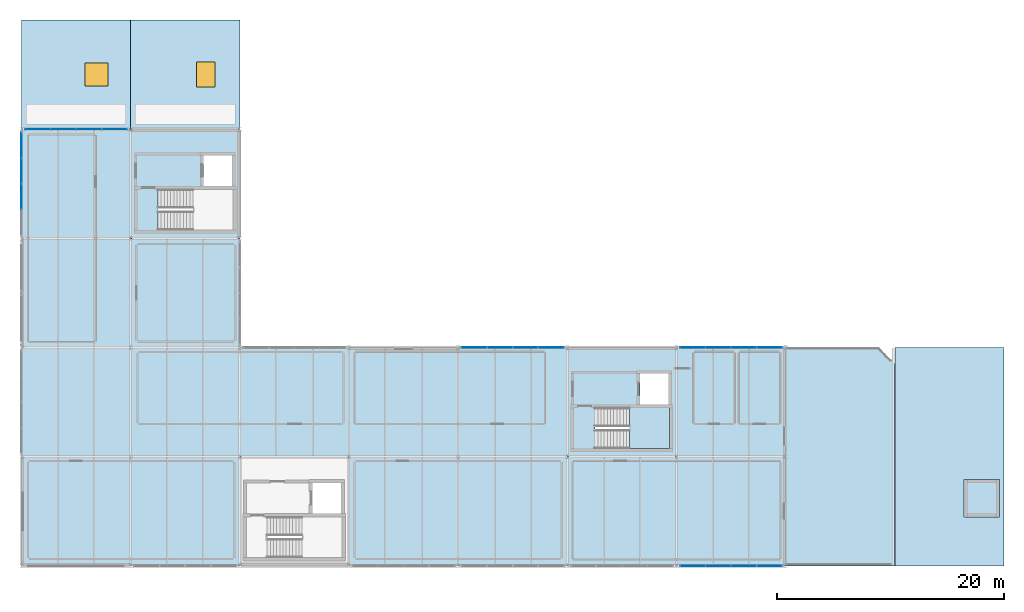
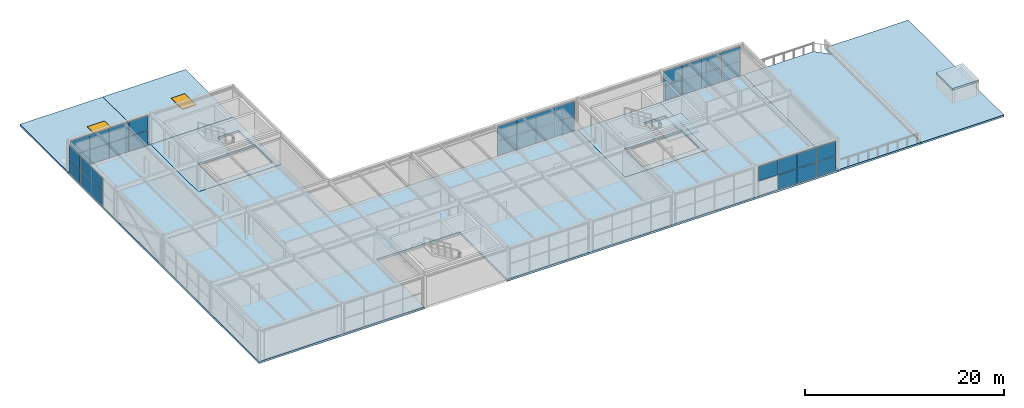
# One storey, part 33 of 39: 37 plates, 9 slabs, 2 windows, 2 openings, 6 elements without a shape of their own.
"""IFC4 building model written with IfcOpenShell, lengths in metres."""

from ifc_helpers import new_model, si_unit, direction, frame, origin, origin_2d, place, context, subcontext, project, spatial, polyline, rectangle, outline, extrude, material, layer, layer_set, type_object, element, fill, aggregate, save


model = new_model("IFC4")

# Units and contexts
model_context = context("Model", 3, precision=1e-05, world=origin(), true_north=direction((0.0, 1.0)))
body_context = subcontext(model_context, "Body", "Model", "MODEL_VIEW")
ifc_project = project(units=[si_unit("LENGTHUNIT", "METRE"), si_unit("AREAUNIT", "SQUARE_METRE"), si_unit("VOLUMEUNIT", "CUBIC_METRE"), si_unit("PLANEANGLEUNIT", "RADIAN"), si_unit("MASSUNIT", "GRAM", prefix="KILO")], contexts=[model_context])

# Site, building, storey
site_placement = place(None, origin())
site = spatial("IfcSite", under=ifc_project, at=site_placement, CompositionType="ELEMENT")
building_placement = place(site_placement, origin())
building = spatial("IfcBuilding", under=site, at=building_placement, Name="Coralgate Yard Interchange", CompositionType="ELEMENT")
storey_placement = place(building_placement, frame((0.0, 0.0, 18.89990234375)))
storey = spatial("IfcBuildingStorey", under=building, at=storey_placement, Name="L04", CompositionType="ELEMENT", Elevation=18.89990234375)

# Curtain wall, plates
ifc_material_1 = material(Name="Anodised coastal aluminium and solar-control low-E glass", Category="aluminium")
curtain_wall_type = type_object("IfcCurtainWallType", Name="CW-CW-L04-A", PredefinedType="NOTDEFINED", material=ifc_material_1)
curtain_wall_1_placement = place(storey_placement, origin())
curtain_wall_1 = element("IfcCurtainWall", 1, at=curtain_wall_1_placement, inside=storey, type_object=curtain_wall_type, Name="L04 unitised curtain wall CW-L04-W-00-03", PredefinedType="NOTDEFINED")
ifc_material_2 = material(Name="Solar-control double-glazed low-E glass unit", Category="glass")
ifc_layer_1 = layer(ifc_material_2, 0.028076171875)
ifc_layer_set_1 = layer_set([ifc_layer_1], Name="Solar-control double-glazed low-E glass unit")
plate_type = type_object("IfcPlateType", Name="PLT-CP-28", PredefinedType="CURTAIN_PANEL", material=ifc_layer_set_1)
plate_1_placement = place(storey_placement, frame((0.0, 32.47509765625, 0.02490234375), z_axis=(0.0, 0.0, 1.0), x_axis=(0.0, 1.0, 0.0)))
plate_1 = element("IfcPlate", 2, at=plate_1_placement, type_object=plate_type, Name="CW-L04-W-00-03 solar-control glazing panel 2-1", PredefinedType="CURTAIN_PANEL", context=body_context, shape_type="SweptSolid", body=[
    extrude(rectangle(XDim=2.199951171875, YDim=0.028076171875, at=origin_2d()), origin(), (0.0, 0.0, 1.0), 1.696533203125),
])
plate_2_placement = place(storey_placement, frame((0.0, 32.47509765625, 1.771484375), z_axis=(0.0, 0.0, 1.0), x_axis=(0.0, 1.0, 0.0)))
plate_2 = element("IfcPlate", 3, at=plate_2_placement, type_object=plate_type, Name="CW-L04-W-00-03 solar-control glazing panel 2-2", PredefinedType="CURTAIN_PANEL", context=body_context, shape_type="SweptSolid", body=[
    extrude(rectangle(XDim=2.199951171875, YDim=0.028076171875, at=origin_2d()), origin(), (0.0, 0.0, 1.0), 1.696533203125),
])
plate_3_placement = place(storey_placement, frame((0.0, 34.72509765625, 0.02490234375), z_axis=(0.0, 0.0, 1.0), x_axis=(0.0, 1.0, 0.0)))
plate_3 = element("IfcPlate", 4, at=plate_3_placement, type_object=plate_type, Name="CW-L04-W-00-03 solar-control glazing panel 3-1", PredefinedType="CURTAIN_PANEL", context=body_context, shape_type="SweptSolid", body=[
    extrude(rectangle(XDim=2.199951171875, YDim=0.028076171875, at=origin_2d()), origin(), (0.0, 0.0, 1.0), 1.696533203125),
])
plate_4_placement = place(storey_placement, frame((0.0, 34.72509765625, 1.771484375), z_axis=(0.0, 0.0, 1.0), x_axis=(0.0, 1.0, 0.0)))
plate_4 = element("IfcPlate", 5, at=plate_4_placement, type_object=plate_type, Name="CW-L04-W-00-03 solar-control glazing panel 3-2", PredefinedType="CURTAIN_PANEL", context=body_context, shape_type="SweptSolid", body=[
    extrude(rectangle(XDim=2.199951171875, YDim=0.028076171875, at=origin_2d()), origin(), (0.0, 0.0, 1.0), 1.696533203125),
])
plate_5_placement = place(storey_placement, frame((0.0, 36.97509765625, 0.02490234375), z_axis=(0.0, 0.0, 1.0), x_axis=(0.0, 1.0, 0.0)))
plate_5 = element("IfcPlate", 6, at=plate_5_placement, type_object=plate_type, Name="CW-L04-W-00-03 solar-control glazing panel 4-1", PredefinedType="CURTAIN_PANEL", context=body_context, shape_type="SweptSolid", body=[
    extrude(rectangle(XDim=2.199951171875, YDim=0.028076171875, at=origin_2d()), origin(), (0.0, 0.0, 1.0), 1.696533203125),
])
plate_6_placement = place(storey_placement, frame((0.0, 36.97509765625, 1.771484375), z_axis=(0.0, 0.0, 1.0), x_axis=(0.0, 1.0, 0.0)))
plate_6 = element("IfcPlate", 7, at=plate_6_placement, type_object=plate_type, Name="CW-L04-W-00-03 solar-control glazing panel 4-2", PredefinedType="CURTAIN_PANEL", context=body_context, shape_type="SweptSolid", body=[
    extrude(rectangle(XDim=2.199951171875, YDim=0.028076171875, at=origin_2d()), origin(), (0.0, 0.0, 1.0), 1.696533203125),
])
aggregate(curtain_wall_1, [plate_1, plate_2, plate_3, plate_4, plate_5, plate_6])

curtain_wall_2_placement = place(storey_placement, origin())
curtain_wall_2 = element("IfcCurtainWall", 8, at=curtain_wall_2_placement, inside=storey, type_object=curtain_wall_type, Name="L04 unitised curtain wall CW-L04-N-00-03", PredefinedType="NOTDEFINED")
plate_7_placement = place(storey_placement, frame((1.425048828125, 38.39990234375, 0.02490234375), z_axis=(0.0, 0.0, 1.0), x_axis=(1.0, 0.0, 0.0)))
plate_7 = element("IfcPlate", 9, at=plate_7_placement, type_object=plate_type, Name="CW-L04-N-00-03 solar-control glazing panel 1-1", PredefinedType="CURTAIN_PANEL", context=body_context, shape_type="SweptSolid", body=[
    extrude(rectangle(XDim=2.199951171875, YDim=0.028076171875, at=origin_2d()), origin(), (0.0, 0.0, 1.0), 1.780029296875),
])
plate_8_placement = place(storey_placement, frame((1.425048828125, 38.39990234375, 1.85498046875), z_axis=(0.0, 0.0, 1.0), x_axis=(1.0, 0.0, 0.0)))
plate_8 = element("IfcPlate", 10, at=plate_8_placement, type_object=plate_type, Name="CW-L04-N-00-03 solar-control glazing panel 1-2", PredefinedType="CURTAIN_PANEL", context=body_context, shape_type="SweptSolid", body=[
    extrude(rectangle(XDim=2.199951171875, YDim=0.028076171875, at=origin_2d()), origin(), (0.0, 0.0, 1.0), 1.780029296875),
])
plate_9_placement = place(storey_placement, frame((3.675048828125, 38.39990234375, 0.02490234375), z_axis=(0.0, 0.0, 1.0), x_axis=(1.0, 0.0, 0.0)))
plate_9 = element("IfcPlate", 11, at=plate_9_placement, type_object=plate_type, Name="CW-L04-N-00-03 solar-control glazing panel 2-1", PredefinedType="CURTAIN_PANEL", context=body_context, shape_type="SweptSolid", body=[
    extrude(rectangle(XDim=2.199951171875, YDim=0.028076171875, at=origin_2d()), origin(), (0.0, 0.0, 1.0), 1.780029296875),
])
plate_10_placement = place(storey_placement, frame((3.675048828125, 38.39990234375, 1.85498046875), z_axis=(0.0, 0.0, 1.0), x_axis=(1.0, 0.0, 0.0)))
plate_10 = element("IfcPlate", 12, at=plate_10_placement, type_object=plate_type, Name="CW-L04-N-00-03 solar-control glazing panel 2-2", PredefinedType="CURTAIN_PANEL", context=body_context, shape_type="SweptSolid", body=[
    extrude(rectangle(XDim=2.199951171875, YDim=0.028076171875, at=origin_2d()), origin(), (0.0, 0.0, 1.0), 1.780029296875),
])
plate_11_placement = place(storey_placement, frame((5.925048828125, 38.39990234375, 0.02490234375), z_axis=(0.0, 0.0, 1.0), x_axis=(1.0, 0.0, 0.0)))
plate_11 = element("IfcPlate", 13, at=plate_11_placement, type_object=plate_type, Name="CW-L04-N-00-03 solar-control glazing panel 3-1", PredefinedType="CURTAIN_PANEL", context=body_context, shape_type="SweptSolid", body=[
    extrude(rectangle(XDim=2.199951171875, YDim=0.028076171875, at=origin_2d()), origin(), (0.0, 0.0, 1.0), 1.780029296875),
])
plate_12_placement = place(storey_placement, frame((5.925048828125, 38.39990234375, 1.85498046875), z_axis=(0.0, 0.0, 1.0), x_axis=(1.0, 0.0, 0.0)))
plate_12 = element("IfcPlate", 14, at=plate_12_placement, type_object=plate_type, Name="CW-L04-N-00-03 solar-control glazing panel 3-2", PredefinedType="CURTAIN_PANEL", context=body_context, shape_type="SweptSolid", body=[
    extrude(rectangle(XDim=2.199951171875, YDim=0.028076171875, at=origin_2d()), origin(), (0.0, 0.0, 1.0), 1.780029296875),
])
plate_13_placement = place(storey_placement, frame((8.175048828125, 38.39990234375, 0.02490234375), z_axis=(0.0, 0.0, 1.0), x_axis=(1.0, 0.0, 0.0)))
plate_13 = element("IfcPlate", 15, at=plate_13_placement, type_object=plate_type, Name="CW-L04-N-00-03 solar-control glazing panel 4-1", PredefinedType="CURTAIN_PANEL", context=body_context, shape_type="SweptSolid", body=[
    extrude(rectangle(XDim=2.199951171875, YDim=0.028076171875, at=origin_2d()), origin(), (0.0, 0.0, 1.0), 1.780029296875),
])
plate_14_placement = place(storey_placement, frame((8.175048828125, 38.39990234375, 1.85498046875), z_axis=(0.0, 0.0, 1.0), x_axis=(1.0, 0.0, 0.0)))
plate_14 = element("IfcPlate", 16, at=plate_14_placement, type_object=plate_type, Name="CW-L04-N-00-03 solar-control glazing panel 4-2", PredefinedType="CURTAIN_PANEL", context=body_context, shape_type="SweptSolid", body=[
    extrude(rectangle(XDim=2.199951171875, YDim=0.028076171875, at=origin_2d()), origin(), (0.0, 0.0, 1.0), 1.780029296875),
])
aggregate(curtain_wall_2, [plate_7, plate_8, plate_9, plate_10, plate_11, plate_12, plate_13, plate_14])

curtain_wall_3_placement = place(storey_placement, origin())
curtain_wall_3 = element("IfcCurtainWall", 17, at=curtain_wall_3_placement, inside=storey, type_object=curtain_wall_type, Name="L04 unitised curtain wall CW-L04-N-04-01", PredefinedType="NOTDEFINED")
plate_15_placement = place(storey_placement, frame((39.824951171875, 19.199951171875, 0.02490234375), z_axis=(0.0, 0.0, 1.0), x_axis=(1.0, 0.0, 0.0)))
plate_15 = element("IfcPlate", 18, at=plate_15_placement, type_object=plate_type, Name="CW-L04-N-04-01 solar-control glazing panel 1-1", PredefinedType="CURTAIN_PANEL", context=body_context, shape_type="SweptSolid", body=[
    extrude(rectangle(XDim=2.199951171875, YDim=0.028076171875, at=origin_2d()), origin(), (0.0, 0.0, 1.0), 1.780029296875),
])
plate_16_placement = place(storey_placement, frame((39.824951171875, 19.199951171875, 1.85498046875), z_axis=(0.0, 0.0, 1.0), x_axis=(1.0, 0.0, 0.0)))
plate_16 = element("IfcPlate", 19, at=plate_16_placement, type_object=plate_type, Name="CW-L04-N-04-01 solar-control glazing panel 1-2", PredefinedType="CURTAIN_PANEL", context=body_context, shape_type="SweptSolid", body=[
    extrude(rectangle(XDim=2.199951171875, YDim=0.028076171875, at=origin_2d()), origin(), (0.0, 0.0, 1.0), 1.780029296875),
])
plate_17_placement = place(storey_placement, frame((42.074951171875, 19.199951171875, 0.02490234375), z_axis=(0.0, 0.0, 1.0), x_axis=(1.0, 0.0, 0.0)))
plate_17 = element("IfcPlate", 20, at=plate_17_placement, type_object=plate_type, Name="CW-L04-N-04-01 solar-control glazing panel 2-1", PredefinedType="CURTAIN_PANEL", context=body_context, shape_type="SweptSolid", body=[
    extrude(rectangle(XDim=2.199951171875, YDim=0.028076171875, at=origin_2d()), origin(), (0.0, 0.0, 1.0), 1.780029296875),
])
plate_18_placement = place(storey_placement, frame((42.074951171875, 19.199951171875, 1.85498046875), z_axis=(0.0, 0.0, 1.0), x_axis=(1.0, 0.0, 0.0)))
plate_18 = element("IfcPlate", 21, at=plate_18_placement, type_object=plate_type, Name="CW-L04-N-04-01 solar-control glazing panel 2-2", PredefinedType="CURTAIN_PANEL", context=body_context, shape_type="SweptSolid", body=[
    extrude(rectangle(XDim=2.199951171875, YDim=0.028076171875, at=origin_2d()), origin(), (0.0, 0.0, 1.0), 1.780029296875),
])
plate_19_placement = place(storey_placement, frame((44.324951171875, 19.199951171875, 0.02490234375), z_axis=(0.0, 0.0, 1.0), x_axis=(1.0, 0.0, 0.0)))
plate_19 = element("IfcPlate", 22, at=plate_19_placement, type_object=plate_type, Name="CW-L04-N-04-01 solar-control glazing panel 3-1", PredefinedType="CURTAIN_PANEL", context=body_context, shape_type="SweptSolid", body=[
    extrude(rectangle(XDim=2.199951171875, YDim=0.028076171875, at=origin_2d()), origin(), (0.0, 0.0, 1.0), 1.780029296875),
])
plate_20_placement = place(storey_placement, frame((44.324951171875, 19.199951171875, 1.85498046875), z_axis=(0.0, 0.0, 1.0), x_axis=(1.0, 0.0, 0.0)))
plate_20 = element("IfcPlate", 23, at=plate_20_placement, type_object=plate_type, Name="CW-L04-N-04-01 solar-control glazing panel 3-2", PredefinedType="CURTAIN_PANEL", context=body_context, shape_type="SweptSolid", body=[
    extrude(rectangle(XDim=2.199951171875, YDim=0.028076171875, at=origin_2d()), origin(), (0.0, 0.0, 1.0), 1.780029296875),
])
plate_21_placement = place(storey_placement, frame((46.574951171875, 19.199951171875, 0.02490234375), z_axis=(0.0, 0.0, 1.0), x_axis=(1.0, 0.0, 0.0)))
plate_21 = element("IfcPlate", 24, at=plate_21_placement, type_object=plate_type, Name="CW-L04-N-04-01 solar-control glazing panel 4-1", PredefinedType="CURTAIN_PANEL", context=body_context, shape_type="SweptSolid", body=[
    extrude(rectangle(XDim=2.199951171875, YDim=0.028076171875, at=origin_2d()), origin(), (0.0, 0.0, 1.0), 1.780029296875),
])
plate_22_placement = place(storey_placement, frame((46.574951171875, 19.199951171875, 1.85498046875), z_axis=(0.0, 0.0, 1.0), x_axis=(1.0, 0.0, 0.0)))
plate_22 = element("IfcPlate", 25, at=plate_22_placement, type_object=plate_type, Name="CW-L04-N-04-01 solar-control glazing panel 4-2", PredefinedType="CURTAIN_PANEL", context=body_context, shape_type="SweptSolid", body=[
    extrude(rectangle(XDim=2.199951171875, YDim=0.028076171875, at=origin_2d()), origin(), (0.0, 0.0, 1.0), 1.780029296875),
])
aggregate(curtain_wall_3, [plate_15, plate_16, plate_17, plate_18, plate_19, plate_20, plate_21, plate_22])

curtain_wall_4_placement = place(storey_placement, origin())
curtain_wall_4 = element("IfcCurtainWall", 26, at=curtain_wall_4_placement, inside=storey, type_object=curtain_wall_type, Name="L04 unitised curtain wall CW-L04-S-06-00", PredefinedType="NOTDEFINED")
plate_23_placement = place(storey_placement, frame((65.77490234375, 0.0, 0.02490234375), z_axis=(0.0, 0.0, 1.0), x_axis=(-1.0, 0.0, 0.0)))
plate_23 = element("IfcPlate", 27, at=plate_23_placement, type_object=plate_type, Name="CW-L04-S-06-00 solar-control glazing panel 1-1", PredefinedType="CURTAIN_PANEL", context=body_context, shape_type="SweptSolid", body=[
    extrude(rectangle(XDim=2.199951171875, YDim=0.028076171875, at=origin_2d()), origin(), (0.0, 0.0, 1.0), 1.780029296875),
])
plate_24_placement = place(storey_placement, frame((65.77490234375, 0.0, 1.85498046875), z_axis=(0.0, 0.0, 1.0), x_axis=(-1.0, 0.0, 0.0)))
plate_24 = element("IfcPlate", 28, at=plate_24_placement, type_object=plate_type, Name="CW-L04-S-06-00 solar-control glazing panel 1-2", PredefinedType="CURTAIN_PANEL", context=body_context, shape_type="SweptSolid", body=[
    extrude(rectangle(XDim=2.199951171875, YDim=0.028076171875, at=origin_2d()), origin(), (0.0, 0.0, 1.0), 1.780029296875),
])
plate_25_placement = place(storey_placement, frame((63.52490234375, 0.0, 0.02490234375), z_axis=(0.0, 0.0, 1.0), x_axis=(-1.0, 0.0, 0.0)))
plate_25 = element("IfcPlate", 29, at=plate_25_placement, type_object=plate_type, Name="CW-L04-S-06-00 solar-control glazing panel 2-1", PredefinedType="CURTAIN_PANEL", context=body_context, shape_type="SweptSolid", body=[
    extrude(rectangle(XDim=2.199951171875, YDim=0.028076171875, at=origin_2d()), origin(), (0.0, 0.0, 1.0), 1.780029296875),
])
plate_26_placement = place(storey_placement, frame((63.52490234375, 0.0, 1.85498046875), z_axis=(0.0, 0.0, 1.0), x_axis=(-1.0, 0.0, 0.0)))
plate_26 = element("IfcPlate", 30, at=plate_26_placement, type_object=plate_type, Name="CW-L04-S-06-00 solar-control glazing panel 2-2", PredefinedType="CURTAIN_PANEL", context=body_context, shape_type="SweptSolid", body=[
    extrude(rectangle(XDim=2.199951171875, YDim=0.028076171875, at=origin_2d()), origin(), (0.0, 0.0, 1.0), 1.780029296875),
])
plate_27_placement = place(storey_placement, frame((61.27490234375, 0.0, 0.02490234375), z_axis=(0.0, 0.0, 1.0), x_axis=(-1.0, 0.0, 0.0)))
plate_27 = element("IfcPlate", 31, at=plate_27_placement, type_object=plate_type, Name="CW-L04-S-06-00 solar-control glazing panel 3-1", PredefinedType="CURTAIN_PANEL", context=body_context, shape_type="SweptSolid", body=[
    extrude(rectangle(XDim=2.199951171875, YDim=0.028076171875, at=origin_2d()), origin(), (0.0, 0.0, 1.0), 1.780029296875),
])
plate_28_placement = place(storey_placement, frame((61.27490234375, 0.0, 1.85498046875), z_axis=(0.0, 0.0, 1.0), x_axis=(-1.0, 0.0, 0.0)))
plate_28 = element("IfcPlate", 32, at=plate_28_placement, type_object=plate_type, Name="CW-L04-S-06-00 solar-control glazing panel 3-2", PredefinedType="CURTAIN_PANEL", context=body_context, shape_type="SweptSolid", body=[
    extrude(rectangle(XDim=2.199951171875, YDim=0.028076171875, at=origin_2d()), origin(), (0.0, 0.0, 1.0), 1.780029296875),
])
plate_29_placement = place(storey_placement, frame((59.02490234375, 0.0, 1.85498046875), z_axis=(0.0, 0.0, 1.0), x_axis=(-1.0, 0.0, 0.0)))
plate_29 = element("IfcPlate", 33, at=plate_29_placement, type_object=plate_type, Name="CW-L04-S-06-00 solar-control glazing panel 4-2", PredefinedType="CURTAIN_PANEL", context=body_context, shape_type="SweptSolid", body=[
    extrude(rectangle(XDim=2.199951171875, YDim=0.028076171875, at=origin_2d()), origin(), (0.0, 0.0, 1.0), 1.780029296875),
])
aggregate(curtain_wall_4, [plate_23, plate_24, plate_25, plate_26, plate_27, plate_28, plate_29])

curtain_wall_5_placement = place(storey_placement, origin())
curtain_wall_5 = element("IfcCurtainWall", 34, at=curtain_wall_5_placement, inside=storey, type_object=curtain_wall_type, Name="L04 unitised curtain wall CW-L04-N-06-01", PredefinedType="NOTDEFINED")
plate_30_placement = place(storey_placement, frame((59.02490234375, 19.199951171875, 0.02490234375), z_axis=(0.0, 0.0, 1.0), x_axis=(1.0, 0.0, 0.0)))
plate_30 = element("IfcPlate", 35, at=plate_30_placement, type_object=plate_type, Name="CW-L04-N-06-01 solar-control glazing panel 1-1", PredefinedType="CURTAIN_PANEL", context=body_context, shape_type="SweptSolid", body=[
    extrude(rectangle(XDim=2.199951171875, YDim=0.028076171875, at=origin_2d()), origin(), (0.0, 0.0, 1.0), 1.780029296875),
])
plate_31_placement = place(storey_placement, frame((59.02490234375, 19.199951171875, 1.85498046875), z_axis=(0.0, 0.0, 1.0), x_axis=(1.0, 0.0, 0.0)))
plate_31 = element("IfcPlate", 36, at=plate_31_placement, type_object=plate_type, Name="CW-L04-N-06-01 solar-control glazing panel 1-2", PredefinedType="CURTAIN_PANEL", context=body_context, shape_type="SweptSolid", body=[
    extrude(rectangle(XDim=2.199951171875, YDim=0.028076171875, at=origin_2d()), origin(), (0.0, 0.0, 1.0), 1.780029296875),
])
plate_32_placement = place(storey_placement, frame((61.27490234375, 19.199951171875, 0.02490234375), z_axis=(0.0, 0.0, 1.0), x_axis=(1.0, 0.0, 0.0)))
plate_32 = element("IfcPlate", 37, at=plate_32_placement, type_object=plate_type, Name="CW-L04-N-06-01 solar-control glazing panel 2-1", PredefinedType="CURTAIN_PANEL", context=body_context, shape_type="SweptSolid", body=[
    extrude(rectangle(XDim=2.199951171875, YDim=0.028076171875, at=origin_2d()), origin(), (0.0, 0.0, 1.0), 1.780029296875),
])
plate_33_placement = place(storey_placement, frame((61.27490234375, 19.199951171875, 1.85498046875), z_axis=(0.0, 0.0, 1.0), x_axis=(1.0, 0.0, 0.0)))
plate_33 = element("IfcPlate", 38, at=plate_33_placement, type_object=plate_type, Name="CW-L04-N-06-01 solar-control glazing panel 2-2", PredefinedType="CURTAIN_PANEL", context=body_context, shape_type="SweptSolid", body=[
    extrude(rectangle(XDim=2.199951171875, YDim=0.028076171875, at=origin_2d()), origin(), (0.0, 0.0, 1.0), 1.780029296875),
])
plate_34_placement = place(storey_placement, frame((63.52490234375, 19.199951171875, 0.02490234375), z_axis=(0.0, 0.0, 1.0), x_axis=(1.0, 0.0, 0.0)))
plate_34 = element("IfcPlate", 39, at=plate_34_placement, type_object=plate_type, Name="CW-L04-N-06-01 solar-control glazing panel 3-1", PredefinedType="CURTAIN_PANEL", context=body_context, shape_type="SweptSolid", body=[
    extrude(rectangle(XDim=2.199951171875, YDim=0.028076171875, at=origin_2d()), origin(), (0.0, 0.0, 1.0), 1.780029296875),
])
plate_35_placement = place(storey_placement, frame((63.52490234375, 19.199951171875, 1.85498046875), z_axis=(0.0, 0.0, 1.0), x_axis=(1.0, 0.0, 0.0)))
plate_35 = element("IfcPlate", 40, at=plate_35_placement, type_object=plate_type, Name="CW-L04-N-06-01 solar-control glazing panel 3-2", PredefinedType="CURTAIN_PANEL", context=body_context, shape_type="SweptSolid", body=[
    extrude(rectangle(XDim=2.199951171875, YDim=0.028076171875, at=origin_2d()), origin(), (0.0, 0.0, 1.0), 1.780029296875),
])
plate_36_placement = place(storey_placement, frame((65.77490234375, 19.199951171875, 0.02490234375), z_axis=(0.0, 0.0, 1.0), x_axis=(1.0, 0.0, 0.0)))
plate_36 = element("IfcPlate", 41, at=plate_36_placement, type_object=plate_type, Name="CW-L04-N-06-01 solar-control glazing panel 4-1", PredefinedType="CURTAIN_PANEL", context=body_context, shape_type="SweptSolid", body=[
    extrude(rectangle(XDim=2.199951171875, YDim=0.028076171875, at=origin_2d()), origin(), (0.0, 0.0, 1.0), 1.780029296875),
])
plate_37_placement = place(storey_placement, frame((65.77490234375, 19.199951171875, 1.85498046875), z_axis=(0.0, 0.0, 1.0), x_axis=(1.0, 0.0, 0.0)))
plate_37 = element("IfcPlate", 42, at=plate_37_placement, type_object=plate_type, Name="CW-L04-N-06-01 solar-control glazing panel 4-2", PredefinedType="CURTAIN_PANEL", context=body_context, shape_type="SweptSolid", body=[
    extrude(rectangle(XDim=2.199951171875, YDim=0.028076171875, at=origin_2d()), origin(), (0.0, 0.0, 1.0), 1.780029296875),
])
aggregate(curtain_wall_5, [plate_30, plate_31, plate_32, plate_33, plate_34, plate_35, plate_36, plate_37])

# Slab
ifc_material_3 = material(Name="Concrete C40/50", Category="concrete")
ifc_layer_2 = layer(ifc_material_3, 0.239990234375)
ifc_layer_set_2 = layer_set([ifc_layer_2], Name="Concrete C40/50")
slab_type_1 = type_object("IfcSlabType", Name="SLB-CAP240", PredefinedType="ROOF", material=ifc_layer_set_2)
slab_1_placement = place(storey_placement, frame((0.0, 0.0, 1.60009765625)))
element("IfcSlab", 43, at=slab_1_placement, inside=storey, type_object=slab_type_1, Name="LF-02 lift overrun roof slab", PredefinedType="ROOF", context=body_context, shape_type="SweptSolid", body=[
    extrude(outline(polyline([(82.89990234375, 4.300048828125), (86.0, 4.300048828125), (86.0, 7.60009765625), (82.89990234375, 7.60009765625), (82.89990234375, 4.300048828125)])), origin(), (0.0, 0.0, 1.0), 0.239990234375),
])

# Stair, slab
stair_type = type_object("IfcStairType", Name="STR-DL-165-42", PredefinedType="HALF_TURN_STAIR", material=ifc_material_3)
stair_placement = place(storey_placement, origin())
stair = element("IfcStair", 44, at=stair_placement, inside=storey, type_object=stair_type, Name="L04 Escape stair ST-02", PredefinedType="HALF_TURN_STAIR")
ifc_layer_3 = layer(ifc_material_3, 0.199951171875)
ifc_layer_set_3 = layer_set([ifc_layer_3], Name="Concrete C40/50")
slab_type_2 = type_object("IfcSlabType", Name="SLB-LND200", PredefinedType="LANDING", material=ifc_layer_set_3)
slab_2_placement = place(storey_placement, frame((0.0, 0.0, 1.900146484375)))
slab_2 = element("IfcSlab", 45, at=slab_2_placement, type_object=slab_type_2, Name="ST-02 landing 1", PredefinedType="LANDING", context=body_context, shape_type="SweptSolid", body=[
    extrude(outline(polyline([(53.47998046875, 10.320068359375), (57.0, 10.320068359375), (57.0, 13.909912109375), (53.47998046875, 13.909912109375), (53.47998046875, 10.320068359375)])), origin(), (0.0, 0.0, 1.0), 0.199951171875),
])
aggregate(stair, [slab_2])

# Slabs
ifc_layer_4 = layer(ifc_material_3, 0.25)
ifc_layer_set_4 = layer_set([ifc_layer_4], Name="Concrete C40/50")
slab_type_3 = type_object("IfcSlabType", Name="SLB-SL-FLR250", PredefinedType="FLOOR", material=ifc_layer_set_4)
slab_3_placement = place(storey_placement, frame((0.0, 0.0, -0.25)))
element("IfcSlab", 46, at=slab_3_placement, inside=storey, type_object=slab_type_3, Name="L04 core C1 structural floor slab", PredefinedType="FLOOR", context=body_context, shape_type="SweptSolid", body=[
    extrude(outline(polyline([(19.199951171875, 38.39990234375), (19.199951171875, 28.800048828125), (9.60009765625, 28.800048828125), (9.60009765625, 38.39990234375), (19.199951171875, 38.39990234375)]), holes=[polyline([(18.60009765625, 33.110107421875), (12.02001953125, 33.110107421875), (12.02001953125, 29.52001953125), (18.60009765625, 29.52001953125), (18.60009765625, 33.110107421875)]), polyline([(18.5, 33.25), (18.5, 36.10009765625), (16.0, 36.10009765625), (16.0, 33.25), (18.5, 33.25)])]), origin(), (0.0, 0.0, 1.0), 0.25),
])
slab_4_placement = place(storey_placement, frame((0.0, 0.0, -0.25)))
element("IfcSlab", 47, at=slab_4_placement, inside=storey, type_object=slab_type_3, Name="L04 core C2 structural floor slab", PredefinedType="FLOOR", context=body_context, shape_type="SweptSolid", body=[
    extrude(outline(polyline([(57.60009765625, 19.199951171875), (57.60009765625, 9.60009765625), (48.0, 9.60009765625), (48.0, 19.199951171875), (57.60009765625, 19.199951171875)]), holes=[polyline([(57.0, 13.909912109375), (50.419921875, 13.909912109375), (50.419921875, 10.320068359375), (57.0, 10.320068359375), (57.0, 13.909912109375)]), polyline([(56.89990234375, 14.050048828125), (56.89990234375, 16.89990234375), (54.39990234375, 16.89990234375), (54.39990234375, 14.050048828125), (56.89990234375, 14.050048828125)])]), origin(), (0.0, 0.0, 1.0), 0.25),
])
slab_5_placement = place(storey_placement, frame((0.0, 0.0, -0.25)))
element("IfcSlab", 48, at=slab_5_placement, inside=storey, type_object=slab_type_3, Name="L04 stepped coastal operations L-shaped slab", PredefinedType="FLOOR", context=body_context, shape_type="SweptSolid", body=[
    extrude(outline(polyline([(0.0, 19.199951171875), (0.0, 28.800048828125), (0.0, 38.39990234375), (9.60009765625, 38.39990234375), (9.60009765625, 28.800048828125), (19.199951171875, 28.800048828125), (19.199951171875, 19.199951171875), (28.800048828125, 19.199951171875), (38.39990234375, 19.199951171875), (48.0, 19.199951171875), (48.0, 9.60009765625), (57.60009765625, 9.60009765625), (57.60009765625, 19.199951171875), (67.199951171875, 19.199951171875), (67.199951171875, 9.60009765625), (67.199951171875, 0.0), (57.60009765625, 0.0), (48.0, 0.0), (38.39990234375, 0.0), (28.800048828125, 0.0), (28.800048828125, 9.60009765625), (19.199951171875, 9.60009765625), (19.199951171875, 0.0), (9.60009765625, 0.0), (0.0, 0.0), (0.0, 9.60009765625), (0.0, 19.199951171875)])), origin(), (0.0, 0.0, 1.0), 0.25),
])

# Slab, opening, window
ifc_layer_5 = layer(ifc_material_3, 0.219970703125)
ifc_layer_set_5 = layer_set([ifc_layer_5], Name="Concrete C40/50")
slab_type_4 = type_object("IfcSlabType", Name="SLB-SL-RF220", PredefinedType="ROOF", material=ifc_layer_set_5)
slab_6_placement = place(storey_placement, frame((0.0, 0.0, -0.219970703125)))
slab_6 = element("IfcSlab", 49, at=slab_6_placement, inside=storey, type_object=slab_type_4, Name="L04 flat concrete roof bay 1 over L03", PredefinedType="ROOF", context=body_context, shape_type="SweptSolid", body=[
    extrude(outline(polyline([(0.0, 38.39990234375), (9.60009765625, 38.39990234375), (9.60009765625, 48.0), (0.0, 48.0), (0.0, 38.39990234375)])), origin(), (0.0, 0.0, 1.0), 0.219970703125),
])
opening_1_placement = place(slab_6_placement, frame((6.60009765625, 43.199951171875, -0.010009765625)))
opening_1 = element("IfcOpeningElement", 50, at=opening_1_placement, cuts=slab_6, Name="Opening SK-03", PredefinedType="OPENING", context=body_context, shape_type="SweptSolid", body=[
    extrude(rectangle(XDim=2.0, YDim=2.0, at=origin_2d()), origin(), (0.0, 0.0, 1.0), 0.2900390625),
])
ifc_material_4 = material(Name="Thermally broken anodised aluminium and solar-control low-E glass", Category="aluminium")
window_type_1 = type_object("IfcWindowType", Name="WIN-SK-03", PartitioningType="SINGLE_PANEL", PredefinedType="SKYLIGHT", material=ifc_material_4)
window_1_placement = place(opening_1_placement, frame((0.0, 0.0, 0.22998046875)))
window_1 = element("IfcWindow", 51, at=window_1_placement, inside=storey, type_object=window_type_1, Name="L04 insulated roof skylight SK-07", OverallHeight=2.0, OverallWidth=2.0, PartitioningType="SINGLE_PANEL", PredefinedType="SKYLIGHT", context=body_context, shape_type="SweptSolid", body=[
    extrude(rectangle(XDim=2.0, YDim=2.0, at=origin_2d()), origin(), (0.0, 0.0, 1.0), 0.050048828125),
])
fill(opening_1, window_1)

slab_7_placement = place(storey_placement, frame((0.0, 0.0, -0.219970703125)))
slab_7 = element("IfcSlab", 52, at=slab_7_placement, inside=storey, type_object=slab_type_4, Name="L04 flat concrete roof bay 2 over L03", PredefinedType="ROOF", context=body_context, shape_type="SweptSolid", body=[
    extrude(outline(polyline([(9.60009765625, 38.39990234375), (19.199951171875, 38.39990234375), (19.199951171875, 48.0), (9.60009765625, 48.0), (9.60009765625, 38.39990234375)])), origin(), (0.0, 0.0, 1.0), 0.219970703125),
])
opening_2_placement = place(slab_7_placement, frame((16.199951171875, 43.199951171875, -0.010009765625)))
opening_2 = element("IfcOpeningElement", 53, at=opening_2_placement, cuts=slab_7, Name="Opening SK-04", PredefinedType="OPENING", context=body_context, shape_type="SweptSolid", body=[
    extrude(rectangle(XDim=1.60009765625, YDim=2.199951171875, at=origin_2d()), origin(), (0.0, 0.0, 1.0), 0.2900390625),
])
window_type_2 = type_object("IfcWindowType", Name="WIN-SK-04", PartitioningType="SINGLE_PANEL", PredefinedType="SKYLIGHT", material=ifc_material_4)
window_2_placement = place(opening_2_placement, frame((0.0, 0.0, 0.22998046875)))
window_2 = element("IfcWindow", 54, at=window_2_placement, inside=storey, type_object=window_type_2, Name="L04 insulated roof skylight SK-08", OverallHeight=2.199951171875, OverallWidth=1.60009765625, PartitioningType="SINGLE_PANEL", PredefinedType="SKYLIGHT", context=body_context, shape_type="SweptSolid", body=[
    extrude(rectangle(XDim=1.60009765625, YDim=2.199951171875, at=origin_2d()), origin(), (0.0, 0.0, 1.0), 0.050048828125),
])
fill(opening_2, window_2)

# Slabs
slab_8_placement = place(storey_placement, frame((0.0, 0.0, -0.219970703125)))
element("IfcSlab", 55, at=slab_8_placement, inside=storey, type_object=slab_type_4, Name="L04 insulated flat concrete roof over L03", PredefinedType="ROOF", context=body_context, shape_type="SweptSolid", body=[
    extrude(outline(polyline([(86.39990234375, 0.0), (76.800048828125, 0.0), (76.800048828125, 9.60009765625), (76.800048828125, 19.199951171875), (86.39990234375, 19.199951171875), (86.39990234375, 9.60009765625), (86.39990234375, 0.0)])), origin(), (0.0, 0.0, 1.0), 0.219970703125),
])
ifc_layer_6 = layer(ifc_material_3, 0.22998046875)
ifc_layer_set_6 = layer_set([ifc_layer_6], Name="Concrete C40/50")
slab_type_5 = type_object("IfcSlabType", Name="SLB-SL-TER230", PredefinedType="FLOOR", material=ifc_layer_set_6)
slab_9_placement = place(storey_placement, frame((0.0, 0.0, -0.22998046875)))
element("IfcSlab", 56, at=slab_9_placement, inside=storey, type_object=slab_type_5, Name="L04 shaded coastal veranda terrace slab", PredefinedType="FLOOR", context=body_context, shape_type="SweptSolid", body=[
    extrude(outline(polyline([(67.199951171875, 0.0), (67.199951171875, 9.60009765625), (67.199951171875, 19.199951171875), (75.39990234375, 19.199951171875), (76.800048828125, 17.800048828125), (76.800048828125, 9.60009765625), (76.800048828125, 0.0), (67.199951171875, 0.0)])), origin(), (0.0, 0.0, 1.0), 0.22998046875),
])

save(model, "model.ifc")
